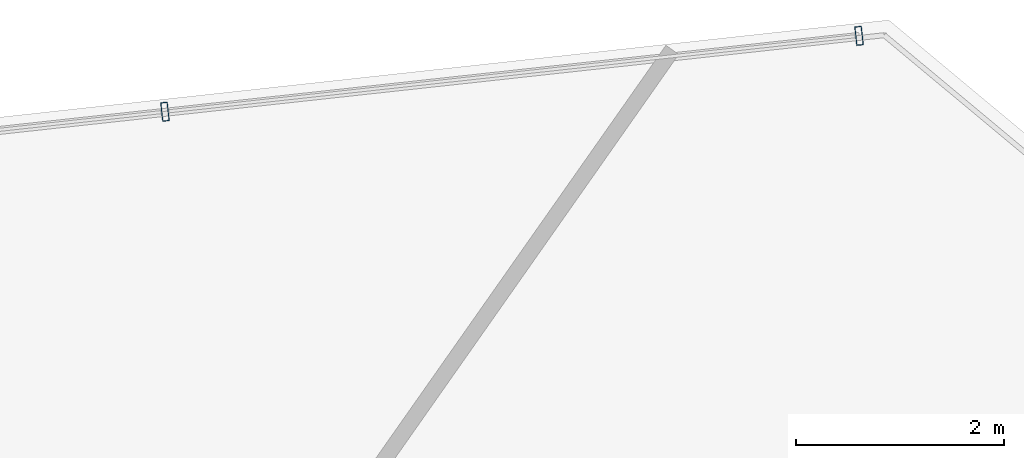
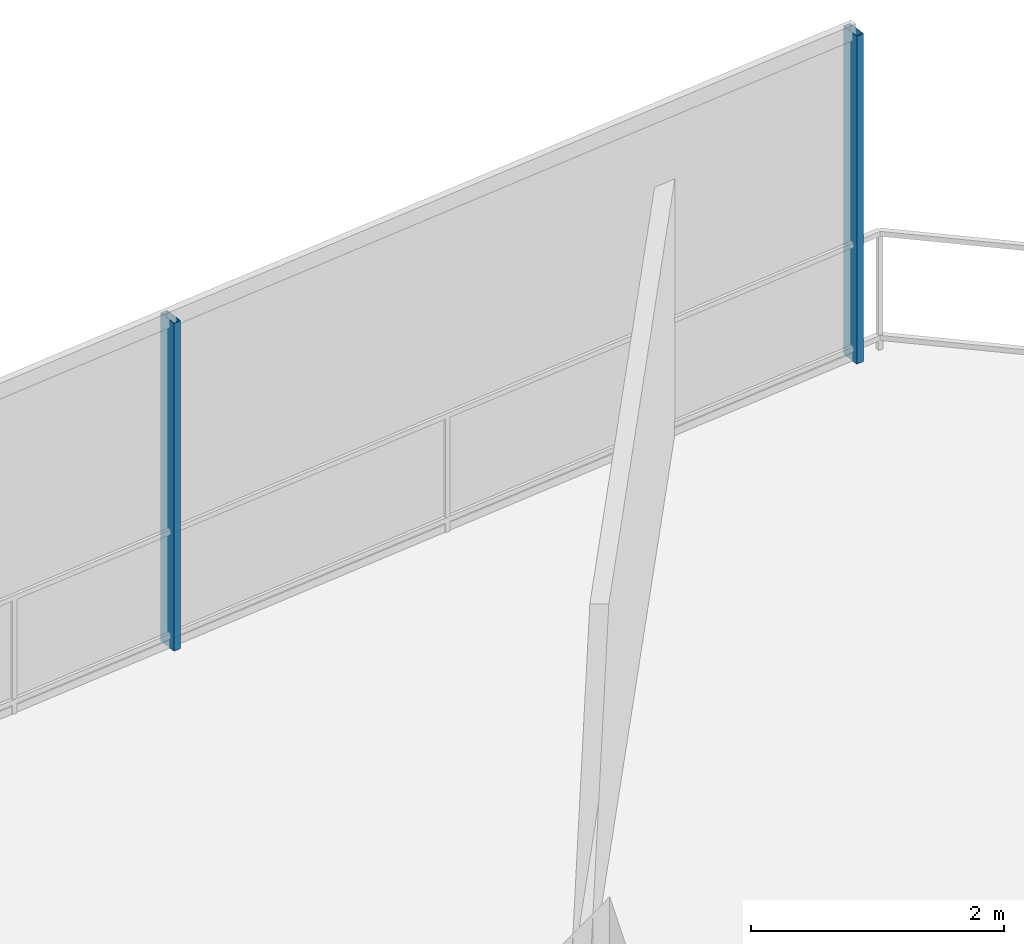
# One storey, part 23 of 30: 2 members, 1 element without a shape of its own.
"""IFC4 building model written with IfcOpenShell, lengths in metres."""

from ifc_helpers import new_model, si_unit, direction, frame, origin, origin_2d, place, context, subcontext, project, spatial, hollow_rectangle, extrude, material, layer, layer_set, material_profile, profile_set, type_object, element, aggregate, save


model = new_model("IFC4")

# Units and contexts
model_context = context("Model", 3, precision=1e-05, world=origin(), true_north=direction((0.0, 1.0)))
body_context = subcontext(model_context, "Body", "Model", "MODEL_VIEW")
ifc_project = project(units=[si_unit("LENGTHUNIT", "METRE"), si_unit("AREAUNIT", "SQUARE_METRE"), si_unit("VOLUMEUNIT", "CUBIC_METRE"), si_unit("PLANEANGLEUNIT", "RADIAN"), si_unit("MASSUNIT", "GRAM", prefix="KILO")], contexts=[model_context])

# Site, building, storey
site_placement = place(None, origin())
site = spatial("IfcSite", under=ifc_project, at=site_placement, CompositionType="ELEMENT")
building_placement = place(site_placement, origin())
building = spatial("IfcBuilding", under=site, at=building_placement, Name="Qarnah Convention Tower", CompositionType="ELEMENT")
storey_placement = place(building_placement, frame((0.0, 0.0, 90.14990234375)))
storey = spatial("IfcBuildingStorey", under=building, at=storey_placement, Name="L23", CompositionType="ELEMENT", Elevation=90.14990234375)

# Curtain wall, members
ifc_material_1 = material(Name="Tempered Low-E dark glass", Category="glass")
ifc_layer = layer(ifc_material_1, 0.169921875)
ifc_layer_set = layer_set([ifc_layer], Name="Tempered Low-E dark glass")
curtain_wall_type = type_object("IfcCurtainWallType", Name="CWS-02", PredefinedType="NOTDEFINED", material=ifc_layer_set)
curtain_wall_placement = place(storey_placement, origin())
curtain_wall = element("IfcCurtainWall", 1, at=curtain_wall_placement, inside=storey, type_object=curtain_wall_type, Name="L23 unitised curtain wall CW-L23-F1", PredefinedType="NOTDEFINED")
ifc_material_2 = material(Name="Black anodised aluminium", Category="aluminium")
ifc_material_profile = material_profile(ifc_material_2, hollow_rectangle(XDim=0.06494140625, YDim=0.179931640625, WallThickness=0.00390625, at=origin_2d()), Name="MUL-65X180")
ifc_profile_set = profile_set([ifc_material_profile], Name="Black anodised aluminium")
member_type = type_object("IfcMemberType", Name="MUL-T2", PredefinedType="MULLION", material=ifc_profile_set)
member_1_placement = place(storey_placement, frame((46.109375, 45.09228515625, 0.0), z_axis=(0.0, 0.0, 1.0), x_axis=(0.994075420686, 0.10869249279, 0.0)))
member_1 = element("IfcMember", 2, at=member_1_placement, type_object=member_type, Name="CW-L23-F1 mullion 5", PredefinedType="MULLION", context=body_context, shape_type="SweptSolid", body=[
    extrude(hollow_rectangle(XDim=0.06494140625, YDim=0.179931640625, WallThickness=0.00390625, at=origin_2d()), origin(), (0.0, 0.0, 1.0), 3.170166015625),
])
member_2_placement = place(storey_placement, frame((52.77294921875, 45.821044921875, 0.0), z_axis=(0.0, 0.0, 1.0), x_axis=(0.994075420686, 0.10869249279, 0.0)))
member_2 = element("IfcMember", 3, at=member_2_placement, type_object=member_type, Name="CW-L23-F1 mullion 6", PredefinedType="MULLION", context=body_context, shape_type="SweptSolid", body=[
    extrude(hollow_rectangle(XDim=0.06494140625, YDim=0.179931640625, WallThickness=0.00390625, at=origin_2d()), origin(), (0.0, 0.0, 1.0), 3.170166015625),
])
aggregate(curtain_wall, [member_1, member_2])

save(model, "model.ifc")
